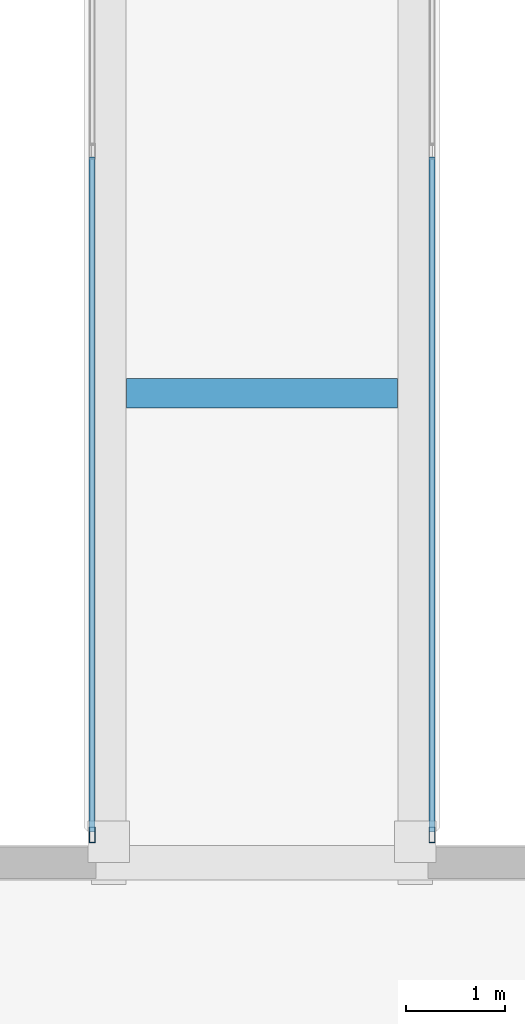
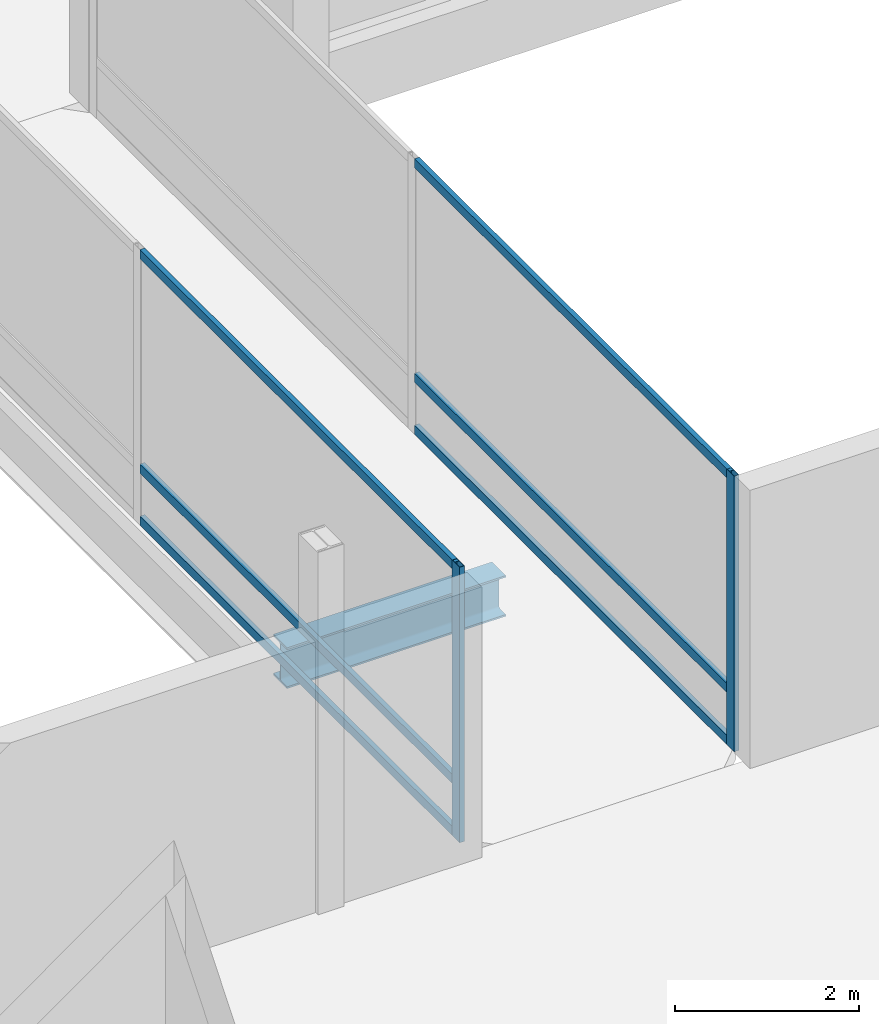
# One storey, part 25 of 220: 8 members, 1 beam, 2 elements without a shape of their own.
"""IFC4 building model written with IfcOpenShell, lengths in metres."""

from ifc_helpers import new_model, si_unit, direction, frame, origin, origin_2d, place, context, subcontext, project, spatial, hollow_rectangle, i_section, extrude, material, material_profile, profile_set, type_object, element, aggregate, save


model = new_model("IFC4")

# Units and contexts
model_context = context("Model", 3, precision=1e-05, world=origin(), true_north=direction((0.0, 1.0)))
body_context = subcontext(model_context, "Body", "Model", "MODEL_VIEW")
ifc_project = project(units=[si_unit("LENGTHUNIT", "METRE"), si_unit("AREAUNIT", "SQUARE_METRE"), si_unit("VOLUMEUNIT", "CUBIC_METRE"), si_unit("PLANEANGLEUNIT", "RADIAN"), si_unit("MASSUNIT", "GRAM", prefix="KILO")], contexts=[model_context])

# Site, building, storey
site_placement = place(None, origin())
site = spatial("IfcSite", under=ifc_project, at=site_placement, CompositionType="ELEMENT")
building_placement = place(site_placement, origin())
building = spatial("IfcBuilding", under=site, at=building_placement, Name="Cendralis Lancet Convention Centre", CompositionType="ELEMENT")
storey_placement = place(building_placement, frame((0.0, 0.0, 5.39990234375)))
storey = spatial("IfcBuildingStorey", under=building, at=storey_placement, Name="L01", CompositionType="ELEMENT", Elevation=5.39990234375)

# Curtain wall, member
ifc_material_1 = material(Name="Anodised bronze architectural aluminium", Category="aluminium")
curtain_wall_type = type_object("IfcCurtainWallType", Name="ARC-CW-BR01", PredefinedType="USERDEFINED", material=ifc_material_1)
curtain_wall_1_placement = place(storey_placement, origin())
curtain_wall_1 = element("IfcCurtainWall", 1, at=curtain_wall_1_placement, inside=storey, type_object=curtain_wall_type, Name="L01 Curtain Wall CW-BR1 #209", ObjectType="CURTAIN WALL", PredefinedType="USERDEFINED")
ifc_material_profile_1 = material_profile(ifc_material_1, hollow_rectangle(XDim=0.06005859375, YDim=0.159912109375, WallThickness=0.00390625, at=origin_2d()), Name="AL-MULL 60x160x4.0")
ifc_profile_set_1 = profile_set([ifc_material_profile_1], Name="Anodised bronze architectural aluminium")
member_type_1 = type_object("IfcMemberType", Name="ARC-CW-ML01", PredefinedType="MULLION", material=ifc_profile_set_1)
member_1_placement = place(storey_placement, frame((16.280029296875, 36.280029296875, 0.0), z_axis=(0.0, 0.0, 1.0), x_axis=(1.0, 0.0, 0.0)))
member_1 = element("IfcMember", 2, at=member_1_placement, type_object=member_type_1, Name="Mullion CW2-CW-BR1-L01-209-M0", PredefinedType="MULLION", context=body_context, shape_type="SweptSolid", body=[
    extrude(hollow_rectangle(XDim=0.06005859375, YDim=0.159912109375, WallThickness=0.00390625, at=origin_2d()), origin(), (0.0, 0.0, 1.0), 3.650146484375),
])

curtain_wall_2_placement = place(storey_placement, origin())
curtain_wall_2 = element("IfcCurtainWall", 3, at=curtain_wall_2_placement, inside=storey, type_object=curtain_wall_type, Name="L01 Curtain Wall CW-BR1 #210", ObjectType="CURTAIN WALL", PredefinedType="USERDEFINED")
member_2_placement = place(storey_placement, frame((19.719970703125, 36.280029296875, 0.0), z_axis=(0.0, 0.0, 1.0), x_axis=(1.0, 0.0, 0.0)))
member_2 = element("IfcMember", 4, at=member_2_placement, type_object=member_type_1, Name="Mullion CW2-CW-BR1-L01-210-M0", PredefinedType="MULLION", context=body_context, shape_type="SweptSolid", body=[
    extrude(hollow_rectangle(XDim=0.06005859375, YDim=0.159912109375, WallThickness=0.00390625, at=origin_2d()), origin(), (0.0, 0.0, 1.0), 3.650146484375),
])

# Member
ifc_material_profile_2 = material_profile(ifc_material_1, hollow_rectangle(XDim=0.06005859375, YDim=0.1201171875, WallThickness=0.00390625, at=origin_2d()), Name="AL-TRAN 60x120x4.0")
ifc_profile_set_2 = profile_set([ifc_material_profile_2], Name="Anodised bronze architectural aluminium")
member_type_2 = type_object("IfcMemberType", Name="ARC-CW-TR01", PredefinedType="USERDEFINED", material=ifc_profile_set_2)
member_3_placement = place(storey_placement, frame((16.280029296875, 36.31005859375, 0.06005859375), z_axis=(0.0, 1.0, 0.0), x_axis=(-1.0, 0.0, 0.0)))
member_3 = element("IfcMember", 5, at=member_3_placement, type_object=member_type_2, Name="Transom CW2-CW-BR1-L01-209-T0BOT", ObjectType="TRANSOM", PredefinedType="USERDEFINED", context=body_context, shape_type="SweptSolid", body=[
    extrude(hollow_rectangle(XDim=0.06005859375, YDim=0.1201171875, WallThickness=0.00390625, at=origin_2d()), origin(), (0.0, 0.0, 1.0), 6.829833984375),
])

member_4_placement = place(storey_placement, frame((16.280029296875, 36.31005859375, 0.75), z_axis=(0.0, 1.0, 0.0), x_axis=(-1.0, 0.0, 0.0)))
member_4 = element("IfcMember", 6, at=member_4_placement, type_object=member_type_2, Name="Transom CW2-CW-BR1-L01-209-T0MID", ObjectType="TRANSOM", PredefinedType="USERDEFINED", context=body_context, shape_type="SweptSolid", body=[
    extrude(hollow_rectangle(XDim=0.06005859375, YDim=0.1201171875, WallThickness=0.00390625, at=origin_2d()), origin(), (0.0, 0.0, 1.0), 6.829833984375),
])

member_5_placement = place(storey_placement, frame((16.280029296875, 36.31005859375, 3.590087890625), z_axis=(0.0, 1.0, 0.0), x_axis=(-1.0, 0.0, 0.0)))
member_5 = element("IfcMember", 7, at=member_5_placement, type_object=member_type_2, Name="Transom CW2-CW-BR1-L01-209-T0TOP", ObjectType="TRANSOM", PredefinedType="USERDEFINED", context=body_context, shape_type="SweptSolid", body=[
    extrude(hollow_rectangle(XDim=0.06005859375, YDim=0.1201171875, WallThickness=0.00390625, at=origin_2d()), origin(), (0.0, 0.0, 1.0), 6.829833984375),
])

aggregate(curtain_wall_1, [member_1, member_3, member_4, member_5])

member_6_placement = place(storey_placement, frame((19.719970703125, 36.31005859375, 0.06005859375), z_axis=(0.0, 1.0, 0.0), x_axis=(-1.0, 0.0, 0.0)))
member_6 = element("IfcMember", 8, at=member_6_placement, type_object=member_type_2, Name="Transom CW2-CW-BR1-L01-210-T0BOT", ObjectType="TRANSOM", PredefinedType="USERDEFINED", context=body_context, shape_type="SweptSolid", body=[
    extrude(hollow_rectangle(XDim=0.06005859375, YDim=0.1201171875, WallThickness=0.00390625, at=origin_2d()), origin(), (0.0, 0.0, 1.0), 6.829833984375),
])

member_7_placement = place(storey_placement, frame((19.719970703125, 36.31005859375, 0.75), z_axis=(0.0, 1.0, 0.0), x_axis=(-1.0, 0.0, 0.0)))
member_7 = element("IfcMember", 9, at=member_7_placement, type_object=member_type_2, Name="Transom CW2-CW-BR1-L01-210-T0MID", ObjectType="TRANSOM", PredefinedType="USERDEFINED", context=body_context, shape_type="SweptSolid", body=[
    extrude(hollow_rectangle(XDim=0.06005859375, YDim=0.1201171875, WallThickness=0.00390625, at=origin_2d()), origin(), (0.0, 0.0, 1.0), 6.829833984375),
])

member_8_placement = place(storey_placement, frame((19.719970703125, 36.31005859375, 3.590087890625), z_axis=(0.0, 1.0, 0.0), x_axis=(-1.0, 0.0, 0.0)))
member_8 = element("IfcMember", 10, at=member_8_placement, type_object=member_type_2, Name="Transom CW2-CW-BR1-L01-210-T0TOP", ObjectType="TRANSOM", PredefinedType="USERDEFINED", context=body_context, shape_type="SweptSolid", body=[
    extrude(hollow_rectangle(XDim=0.06005859375, YDim=0.1201171875, WallThickness=0.00390625, at=origin_2d()), origin(), (0.0, 0.0, 1.0), 6.829833984375),
])

aggregate(curtain_wall_2, [member_2, member_6, member_7, member_8])

# Beam
ifc_material_2 = material(Name="Steel S355", Category="steel")
ifc_material_profile_3 = material_profile(ifc_material_2, i_section(OverallWidth=0.300048828125, OverallDepth=0.5400390625, WebThickness=0.012451171875, FlangeThickness=0.02392578125, FilletRadius=0.027099609375, at=origin_2d()), Name="HEA 550")
ifc_profile_set_3 = profile_set([ifc_material_profile_3], Name="Steel S355")
beam_type = type_object("IfcBeamType", Name="STR-BM-SG11", PredefinedType="BEAM", material=ifc_profile_set_3)
beam_placement = place(storey_placement, frame((16.6298828125, 40.751953125, -0.489990234375), z_axis=(1.0, 0.0, 0.0), x_axis=(0.0, 1.0, 0.0)))
element("IfcBeam", 11, at=beam_placement, inside=storey, type_object=beam_type, Name="L01 Beam SG11 #1922", PredefinedType="BEAM", context=body_context, shape_type="SweptSolid", body=[
    extrude(i_section(OverallWidth=0.300048828125, OverallDepth=0.5400390625, WebThickness=0.012451171875, FlangeThickness=0.02392578125, FilletRadius=0.027099609375, at=origin_2d()), origin(), (0.0, 0.0, 1.0), 2.740234375),
])

save(model, "model.ifc")
